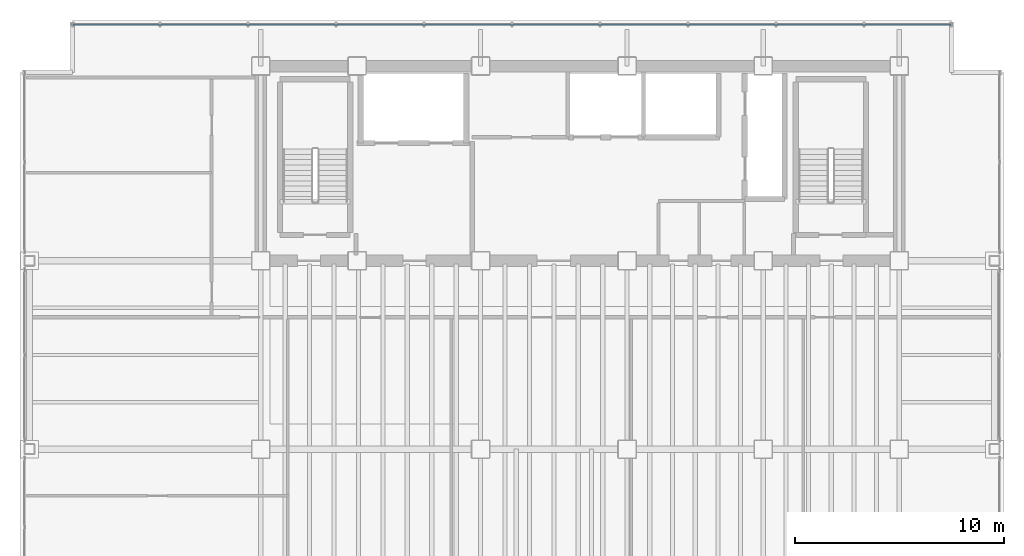
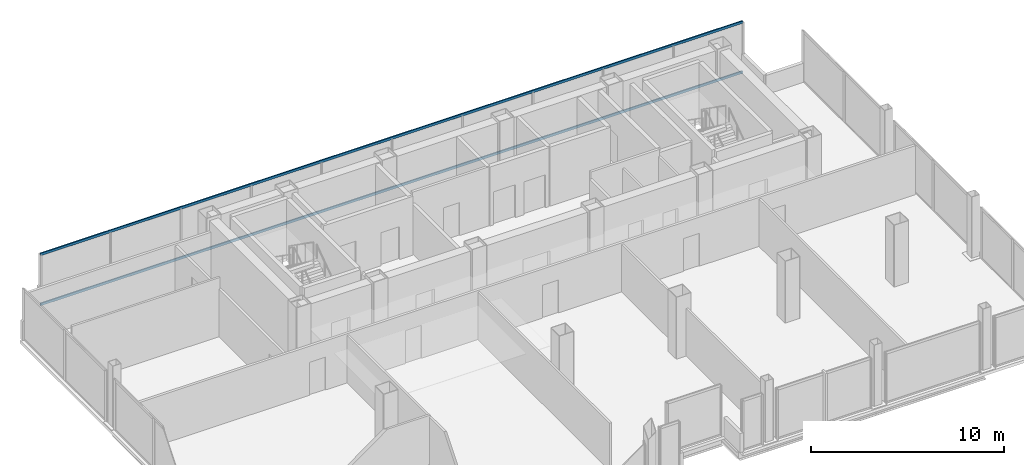
# One storey, part 10 of 20: 2 members, 1 element without a shape of its own.
"""IFC4 building model written with IfcOpenShell, lengths in metres."""

from ifc_helpers import new_model, si_unit, direction, frame, origin, origin_2d, place, context, subcontext, project, spatial, hollow_rectangle, extrude, material, material_profile, profile_set, type_object, element, aggregate, save


model = new_model("IFC4")

# Units and contexts
model_context = context("Model", 3, precision=1e-05, world=origin(), true_north=direction((0.0, 1.0)))
body_context = subcontext(model_context, "Body", "Model", "MODEL_VIEW")
ifc_project = project(units=[si_unit("LENGTHUNIT", "METRE"), si_unit("AREAUNIT", "SQUARE_METRE"), si_unit("VOLUMEUNIT", "CUBIC_METRE"), si_unit("PLANEANGLEUNIT", "RADIAN"), si_unit("MASSUNIT", "GRAM", prefix="KILO")], contexts=[model_context])

# Site, building, storey
site_placement = place(None, origin())
site = spatial("IfcSite", under=ifc_project, at=site_placement, CompositionType="ELEMENT")
building_placement = place(site_placement, origin())
building = spatial("IfcBuilding", under=site, at=building_placement, Name="Noeulbin Bourse Tower", CompositionType="ELEMENT")
storey_placement = place(building_placement, frame((0.0, 0.0, 118.800048828125)))
storey = spatial("IfcBuildingStorey", under=building, at=storey_placement, Name="L29", CompositionType="ELEMENT", Elevation=118.800048828125)

# Curtain wall, members
ifc_material_1 = material(Name="Dark Tinted Triple Glazing", Category="glass")
curtain_wall_type = type_object("IfcCurtainWallType", Name="CW-SYS-3", PredefinedType="NOTDEFINED", material=ifc_material_1)
curtain_wall_placement = place(storey_placement, origin())
curtain_wall = element("IfcCurtainWall", 1, at=curtain_wall_placement, inside=storey, type_object=curtain_wall_type, Name="Unitised Curtain Wall CW-L29-N", PredefinedType="NOTDEFINED")
ifc_material_2 = material(Name="Anodised Aluminium 6063-T6", Category="aluminium")
ifc_material_profile = material_profile(ifc_material_2, hollow_rectangle(XDim=0.074951171875, YDim=0.159912109375, WallThickness=0.0048828125, InnerFilletRadius=0.00244140625, OuterFilletRadius=0.0048828125, at=origin_2d()), Name="ALU-TRAN-75x160x5", Category="LoadBearing")
ifc_profile_set = profile_set([ifc_material_profile], Name="Anodised Aluminium 6063-T6")
member_type = type_object("IfcMemberType", Name="CW-SYS-3-TRN", PredefinedType="USERDEFINED", material=ifc_profile_set)
member_1_placement = place(storey_placement, frame((4.530029296875, 40.280029296875, 0.010009765625), z_axis=(1.0, 0.0, 0.0), x_axis=(0.0, 1.0, 0.0)))
member_1 = element("IfcMember", 2, at=member_1_placement, type_object=member_type, Name="Curtain Wall Transom CW-L29-N-T00", ObjectType="TRANSOM", PredefinedType="USERDEFINED", context=body_context, shape_type="SweptSolid", body=[
    extrude(hollow_rectangle(XDim=0.074951171875, YDim=0.159912109375, WallThickness=0.0048828125, InnerFilletRadius=0.00244140625, OuterFilletRadius=0.0048828125, at=origin_2d()), origin(), (0.0, 0.0, 1.0), 41.93994140625),
])
member_2_placement = place(storey_placement, frame((4.530029296875, 40.280029296875, 3.169921875), z_axis=(1.0, 0.0, 0.0), x_axis=(0.0, 1.0, 0.0)))
member_2 = element("IfcMember", 3, at=member_2_placement, type_object=member_type, Name="Curtain Wall Transom CW-L29-N-T01", ObjectType="TRANSOM", PredefinedType="USERDEFINED", context=body_context, shape_type="SweptSolid", body=[
    extrude(hollow_rectangle(XDim=0.074951171875, YDim=0.159912109375, WallThickness=0.0048828125, InnerFilletRadius=0.00244140625, OuterFilletRadius=0.0048828125, at=origin_2d()), origin(), (0.0, 0.0, 1.0), 41.93994140625),
])
aggregate(curtain_wall, [member_1, member_2])

save(model, "model.ifc")
